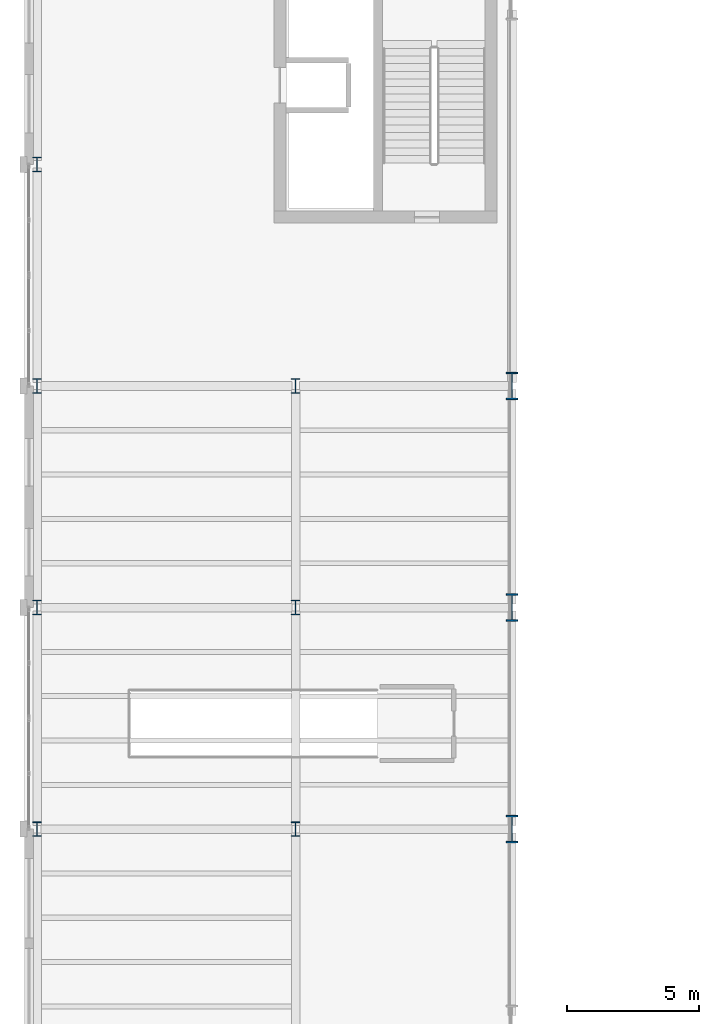
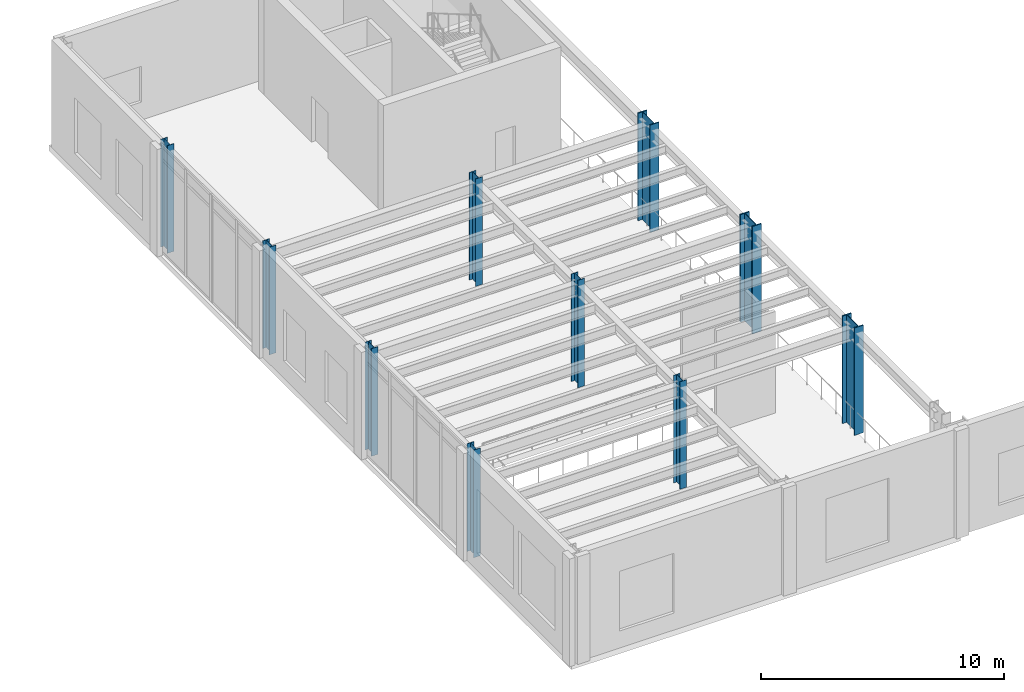
# One storey, part 3 of 98: 10 columns.
"""IFC4 building model written with IfcOpenShell, lengths in metres."""

from ifc_helpers import new_model, si_unit, direction, frame, origin, origin_2d, place, context, subcontext, project, spatial, i_section, extrude, material, material_profile, profile_set, type_object, element, save


model = new_model("IFC4")

# Units and contexts
model_context = context("Model", 3, precision=1e-05, world=origin(), true_north=direction((0.0, 1.0)))
body_context = subcontext(model_context, "Body", "Model", "MODEL_VIEW")
ifc_project = project(units=[si_unit("LENGTHUNIT", "METRE"), si_unit("AREAUNIT", "SQUARE_METRE"), si_unit("VOLUMEUNIT", "CUBIC_METRE"), si_unit("PLANEANGLEUNIT", "RADIAN"), si_unit("MASSUNIT", "GRAM", prefix="KILO")], contexts=[model_context])

# Site, building, storey
site_placement = place(None, origin())
site = spatial("IfcSite", under=ifc_project, at=site_placement, CompositionType="ELEMENT")
building_placement = place(site_placement, origin())
building = spatial("IfcBuilding", under=site, at=building_placement, Name="Sollismere Congress Hotel", CompositionType="ELEMENT")
storey_placement = place(building_placement, frame((0.0, 0.0, 5.39990234375)))
storey = spatial("IfcBuildingStorey", under=building, at=storey_placement, Name="L01", CompositionType="ELEMENT", Elevation=5.39990234375)

# Columns
ifc_material = material(Name="Steel ASTM A992 Grade 50", Category="steel")
ifc_material_profile_1 = material_profile(ifc_material, i_section(OverallWidth=0.31494140625, OverallDepth=0.551025390625, WebThickness=0.01513671875, FlangeThickness=0.0244140625, at=origin_2d()), Name="W21X122")
ifc_profile_set_1 = profile_set([ifc_material_profile_1], Name="Steel ASTM A992 Grade 50")
column_type_1 = type_object("IfcColumnType", Name="COL-W21", PredefinedType="COLUMN", material=ifc_profile_set_1)
for number, where, z_axis, x_axis, name in (
    (1, (0.0, 33.199951171875, 0.0), (0.0, 0.0, 1.0), (1.0, 0.0, 0.0), "Column CL-L01-011"),
    (2, (0.0, 41.60009765625, 0.0), (0.0, 0.0, 1.0), (1.0, 0.0, 0.0), "Column CL-L01-016"),
    (3, (0.0, 50.0, 0.0), (0.0, 0.0, 1.0), (1.0, 0.0, 0.0), "Column CL-L01-021"),
    (4, (0.0, 58.39990234375, 0.0), (0.0, 0.0, 1.0), (1.0, 0.0, 0.0), "Column CL-L01-026"),
    (5, (9.800048828125, 33.199951171875, 0.0), (0.0, 0.0, 1.0), (1.0, 0.0, 0.0), "Column CL-L01-049"),
    (6, (9.800048828125, 41.60009765625, 0.0), (0.0, 0.0, 1.0), (1.0, 0.0, 0.0), "Column CL-L01-055"),
    (7, (9.800048828125, 50.0, 0.0), (0.0, 0.0, 1.0), (1.0, 0.0, 0.0), "Column CL-L01-061"),
):
    element("IfcColumn", number, at=place(storey_placement, frame(where, z_axis=z_axis, x_axis=x_axis)), inside=storey, type_object=column_type_1, Name=name, PredefinedType="COLUMN", context=body_context, shape_type="SweptSolid", body=[
        extrude(i_section(OverallWidth=0.31494140625, OverallDepth=0.551025390625, WebThickness=0.01513671875, FlangeThickness=0.0244140625, at=origin_2d()), origin(), (0.0, 0.0, 1.0), 5.400146484375),
    ])
ifc_material_profile_2 = material_profile(ifc_material, i_section(OverallWidth=0.427001953125, OverallDepth=1.041015625, WebThickness=0.031005859375, FlangeThickness=0.055908203125, at=origin_2d()), Name="W40X397")
ifc_profile_set_2 = profile_set([ifc_material_profile_2], Name="Steel ASTM A992 Grade 50")
column_type_2 = type_object("IfcColumnType", Name="COL-W40", PredefinedType="COLUMN", material=ifc_profile_set_2)
for number, where, z_axis, x_axis, name in (
    (8, (18.0, 33.199951171875, 0.0), (0.0, 0.0, 1.0), (1.0, 0.0, 0.0), "Column CL-L01-080"),
    (9, (18.0, 41.60009765625, 0.0), (0.0, 0.0, 1.0), (1.0, 0.0, 0.0), "Column CL-L01-086"),
    (10, (18.0, 50.0, 0.0), (0.0, 0.0, 1.0), (1.0, 0.0, 0.0), "Column CL-L01-092"),
):
    element("IfcColumn", number, at=place(storey_placement, frame(where, z_axis=z_axis, x_axis=x_axis)), inside=storey, type_object=column_type_2, Name=name, PredefinedType="COLUMN", context=body_context, shape_type="SweptSolid", body=[
        extrude(i_section(OverallWidth=0.427001953125, OverallDepth=1.041015625, WebThickness=0.031005859375, FlangeThickness=0.055908203125, at=origin_2d()), origin(), (0.0, 0.0, 1.0), 5.400146484375),
    ])

save(model, "model.ifc")
